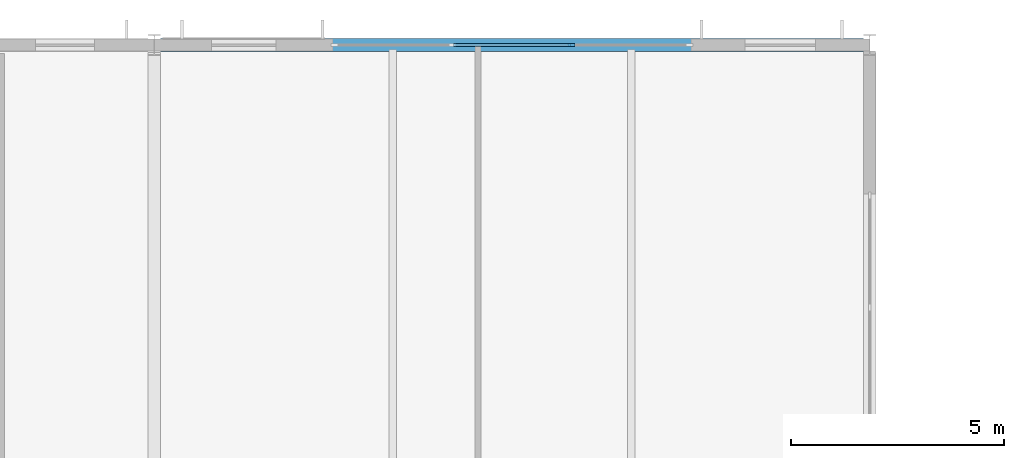
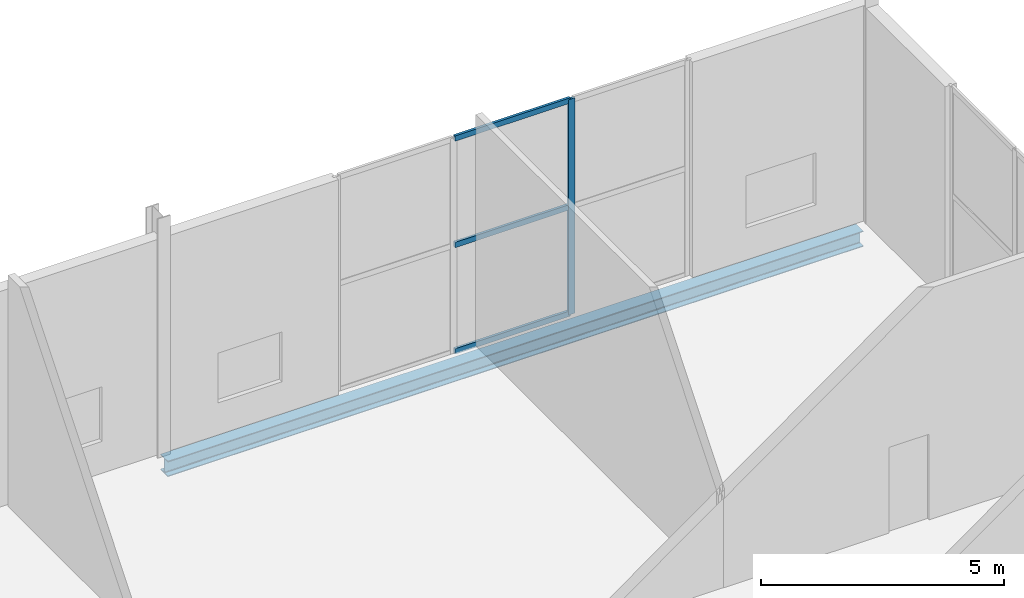
# One storey, part 45 of 100: 4 members, 1 beam, 1 element without a shape of its own.
"""IFC4 building model written with IfcOpenShell, lengths in metres."""

from ifc_helpers import new_model, si_unit, direction, frame, origin, origin_2d, place, context, subcontext, project, spatial, rectangle, i_section, extrude, material, material_profile, profile_set, type_object, element, aggregate, save


model = new_model("IFC4")

# Units and contexts
model_context = context("Model", 3, precision=1e-05, world=origin(), true_north=direction((0.0, 1.0)))
body_context = subcontext(model_context, "Body", "Model", "MODEL_VIEW")
ifc_project = project(units=[si_unit("LENGTHUNIT", "METRE"), si_unit("AREAUNIT", "SQUARE_METRE"), si_unit("VOLUMEUNIT", "CUBIC_METRE"), si_unit("PLANEANGLEUNIT", "RADIAN"), si_unit("MASSUNIT", "GRAM", prefix="KILO")], contexts=[model_context])

# Site, building, storey
site_placement = place(None, origin())
site = spatial("IfcSite", under=ifc_project, at=site_placement, CompositionType="ELEMENT")
building_placement = place(site_placement, origin())
building = spatial("IfcBuilding", under=site, at=building_placement, Name="Kimbaza Rail Terminus", CompositionType="ELEMENT")
storey_placement = place(building_placement, frame((0.0, 0.0, 10.800048828125)))
storey = spatial("IfcBuildingStorey", under=building, at=storey_placement, Name="L02", CompositionType="ELEMENT", Elevation=10.800048828125)

# Curtain wall, members
ifc_material_1 = material(Name="Anodised aluminium framing and solar low-E glazing", Category="aluminium")
curtain_wall_type = type_object("IfcCurtainWallType", Name="ARC-CW-OP1", PredefinedType="USERDEFINED", material=ifc_material_1)
curtain_wall_placement = place(storey_placement, origin())
curtain_wall = element("IfcCurtainWall", 1, at=curtain_wall_placement, inside=storey, type_object=curtain_wall_type, Name="Operations North Curtain Wall L02 Bay 6", ObjectType="UNITISED CURTAIN WALL", PredefinedType="USERDEFINED")
ifc_material_2 = material(Name="Anodised architectural aluminium", Category="aluminium")
ifc_material_profile_1 = material_profile(ifc_material_2, rectangle(XDim=0.06201171875, YDim=0.1650390625, at=origin_2d()), Name="MULLION 62x165")
ifc_profile_set_1 = profile_set([ifc_material_profile_1], Name="Anodised architectural aluminium")
member_type_1 = type_object("IfcMemberType", Name="ARC-CWM-05", PredefinedType="MULLION", material=ifc_profile_set_1)
member_1_placement = place(storey_placement, frame((149.0, 133.0, 0.0), z_axis=(0.0, 0.0, 1.0), x_axis=(0.0, 1.0, 0.0)))
member_1 = element("IfcMember", 2, at=member_1_placement, type_object=member_type_1, Name="CW-05 mullion 3", PredefinedType="MULLION", context=body_context, shape_type="SweptSolid", body=[
    extrude(rectangle(XDim=0.06201171875, YDim=0.1650390625, at=origin_2d()), origin(), (0.0, 0.0, 1.0), 5.405029296875),
])
ifc_material_3 = material(Name="Anodised architectural aluminium", Category="aluminium")
ifc_material_profile_2 = material_profile(ifc_material_3, rectangle(XDim=0.06201171875, YDim=0.135009765625, at=origin_2d()), Name="TRANSOM 62x135")
ifc_profile_set_2 = profile_set([ifc_material_profile_2], Name="Anodised architectural aluminium")
member_type_2 = type_object("IfcMemberType", Name="ARC-CWT-05", PredefinedType="USERDEFINED", material=ifc_profile_set_2)
member_2_placement = place(storey_placement, frame((146.23095703125, 133.0, 0.031005859375), z_axis=(1.0, 0.0, 0.0), x_axis=(0.0, 1.0, 0.0)))
member_2 = element("IfcMember", 3, at=member_2_placement, type_object=member_type_2, Name="CW-05 transom 2.1", ObjectType="TRANSOM", PredefinedType="USERDEFINED", context=body_context, shape_type="SweptSolid", body=[
    extrude(rectangle(XDim=0.06201171875, YDim=0.135009765625, at=origin_2d()), origin(), (0.0, 0.0, 1.0), 2.738037109375),
])
member_3_placement = place(storey_placement, frame((146.23095703125, 133.0, 2.702392578125), z_axis=(1.0, 0.0, 0.0), x_axis=(0.0, 1.0, 0.0)))
member_3 = element("IfcMember", 4, at=member_3_placement, type_object=member_type_2, Name="CW-05 transom 2.2", ObjectType="TRANSOM", PredefinedType="USERDEFINED", context=body_context, shape_type="SweptSolid", body=[
    extrude(rectangle(XDim=0.06201171875, YDim=0.135009765625, at=origin_2d()), origin(), (0.0, 0.0, 1.0), 2.738037109375),
])
member_4_placement = place(storey_placement, frame((146.23095703125, 133.0, 5.3740234375), z_axis=(1.0, 0.0, 0.0), x_axis=(0.0, 1.0, 0.0)))
member_4 = element("IfcMember", 5, at=member_4_placement, type_object=member_type_2, Name="CW-05 transom 2.3", ObjectType="TRANSOM", PredefinedType="USERDEFINED", context=body_context, shape_type="SweptSolid", body=[
    extrude(rectangle(XDim=0.06201171875, YDim=0.135009765625, at=origin_2d()), origin(), (0.0, 0.0, 1.0), 2.738037109375),
])
aggregate(curtain_wall, [member_1, member_2, member_3, member_4])

# Beam
ifc_material_4 = material(Name="Steel S355", Category="steel")
ifc_material_profile_3 = material_profile(ifc_material_4, i_section(OverallWidth=0.300048828125, OverallDepth=0.389892578125, WebThickness=0.010986328125, FlangeThickness=0.01904296875, FilletRadius=0.027099609375, at=origin_2d()), Name="HEA 400")
ifc_profile_set_3 = profile_set([ifc_material_profile_3], Name="Steel S355")
beam_type = type_object("IfcBeamType", Name="STR-BM-HEA400", PredefinedType="SPANDREL", material=ifc_profile_set_3)
beam_placement = place(storey_placement, frame((139.345947265625, 133.0, -0.43505859375), z_axis=(1.0, 0.0, 0.0), x_axis=(0.0, 1.0, 0.0)))
element("IfcBeam", 6, at=beam_placement, inside=storey, type_object=beam_type, Name="Operations Girder L02 X5-Y2", PredefinedType="SPANDREL", context=body_context, shape_type="SweptSolid", body=[
    extrude(i_section(OverallWidth=0.300048828125, OverallDepth=0.389892578125, WebThickness=0.010986328125, FlangeThickness=0.01904296875, FilletRadius=0.027099609375, at=origin_2d()), origin(), (0.0, 0.0, 1.0), 16.508056640625),
])

save(model, "model.ifc")
